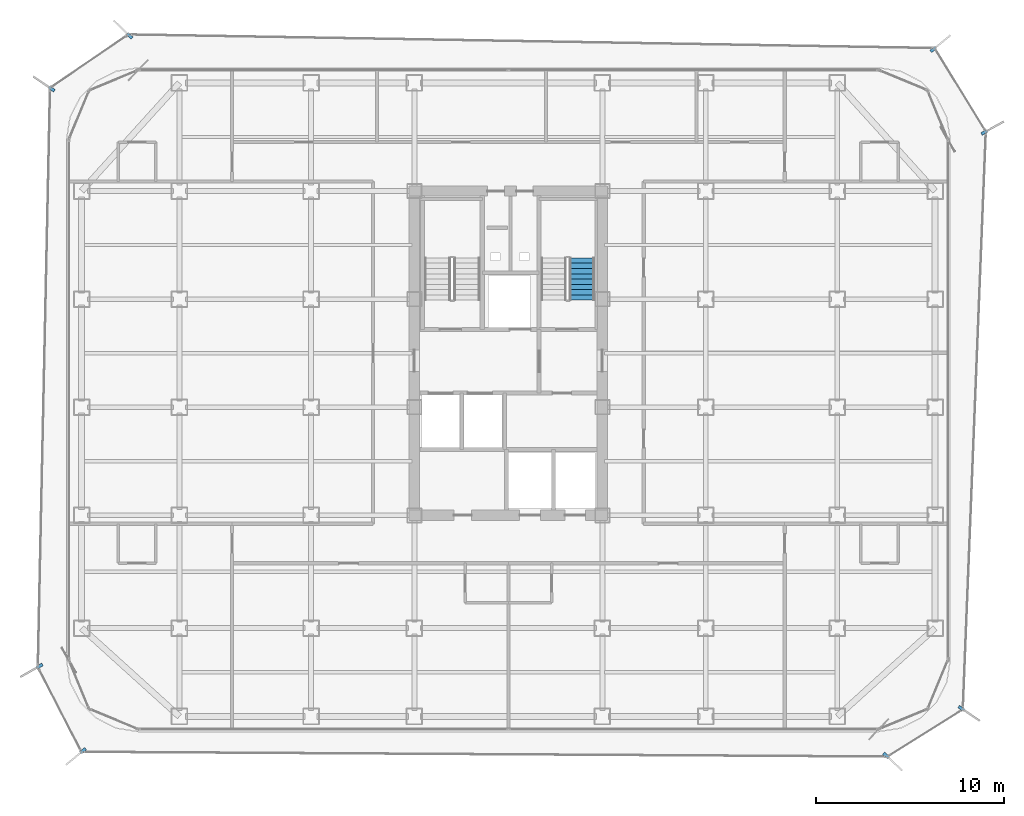
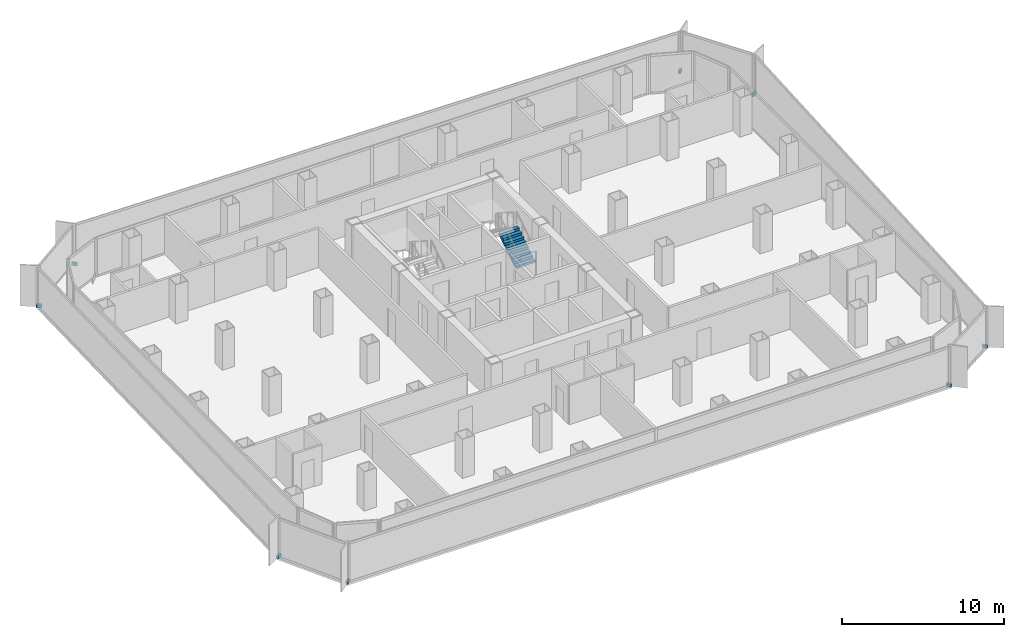
# One storey, part 18 of 21: 8 discrete accessories, 1 stair flight, 1 element without a shape of its own.
"""IFC4 building model written with IfcOpenShell, lengths in metres."""

from ifc_helpers import new_model, si_unit, direction, frame, origin, origin_2d, place, context, subcontext, project, spatial, polyline, rectangle, outline, extrude, source, transform, mapped, material, layer, layer_set, type_object, element, aggregate, save


model = new_model("IFC4")

# Units and contexts
model_context = context("Model", 3, precision=1e-05, world=origin(), true_north=direction((0.0, 1.0)))
body_context = subcontext(model_context, "Body", "Model", "MODEL_VIEW")
ifc_project = project(units=[si_unit("LENGTHUNIT", "METRE"), si_unit("AREAUNIT", "SQUARE_METRE"), si_unit("VOLUMEUNIT", "CUBIC_METRE"), si_unit("PLANEANGLEUNIT", "RADIAN"), si_unit("MASSUNIT", "GRAM", prefix="KILO")], contexts=[model_context])

# Site, building, storey
site_placement = place(None, origin())
site = spatial("IfcSite", under=ifc_project, at=site_placement, CompositionType="ELEMENT")
building_placement = place(site_placement, origin())
building = spatial("IfcBuilding", under=site, at=building_placement, Name="Kolveth Station Tower", CompositionType="ELEMENT")
storey_placement = place(building_placement, frame((0.0, 0.0, 137.5)))
storey = spatial("IfcBuildingStorey", under=building, at=storey_placement, Name="L38", CompositionType="ELEMENT", Elevation=137.5)

# Stair, stair flight
ifc_material_1 = material(Name="Concrete C40/50", Category="concrete")
stair_type = type_object("IfcStairType", Name="Stair_ST2", PredefinedType="HALF_TURN_STAIR", material=ifc_material_1)
stair_placement = place(storey_placement, origin())
stair = element("IfcStair", 1, at=stair_placement, inside=storey, type_object=stair_type, Name="L38 Tower Exit Stair ST2", PredefinedType="HALF_TURN_STAIR")
ifc_layer = layer(ifc_material_1, 0.179931640625)
ifc_layer_set = layer_set([ifc_layer], Name="Concrete C40/50")
stair_flight_type = type_object("IfcStairFlightType", Name="Flight_ST2", PredefinedType="STRAIGHT", material=ifc_layer_set)
stair_flight_placement = place(storey_placement, frame((27.425048828125, 22.949951171875, 0.0), z_axis=(0.0, 0.0, 1.0), x_axis=(0.0, 1.0, 0.0)))
stair_flight = element("IfcStairFlight", 2, at=stair_flight_placement, type_object=stair_flight_type, Name="ST2 flight 1", NumberOfRisers=9, NumberOfTreads=8, PredefinedType="STRAIGHT", RiserHeight=0.177777778, TreadLength=0.28, context=body_context, shape_type="SweptSolid", body=[
    extrude(outline(polyline([(0.0, 0.0), (0.0, 0.177734375), (0.280029296875, 0.177734375), (0.280029296875, 0.35546875), (0.56005859375, 0.35546875), (0.56005859375, 0.533447265625), (0.840087890625, 0.533447265625), (0.840087890625, 0.711181640625), (1.1201171875, 0.711181640625), (1.1201171875, 0.888916015625), (1.39990234375, 0.888916015625), (1.39990234375, 1.066650390625), (1.679931640625, 1.066650390625), (1.679931640625, 1.244384765625), (1.9599609375, 1.244384765625), (1.9599609375, 1.422119140625), (2.239990234375, 1.422119140625), (2.239990234375, 1.60009765625), (2.239990234375, 1.24462890625), (0.27978515625, 0.0), (0.0, 0.0)])), frame((0.0, 0.675048828125, 0.0), z_axis=(0.0, -1.0, 0.0), x_axis=(1.0, 0.0, 0.0)), (0.0, 0.0, 1.0), 1.35009765625),
])
aggregate(stair, [stair_flight])

# Discrete accessories
ifc_material_2 = material(Name="Steel S355", Category="steel")
discrete_accessory_type = type_object("IfcDiscreteAccessoryType", Name="Bracket_BK1", PredefinedType="BRACKET", material=ifc_material_2)
shared_shape = source(origin(), body_context, "Body", "SweptSolid", [
    extrude(rectangle(XDim=0.35009765625, YDim=0.159912109375, at=origin_2d()), origin(), (0.0, 0.0, 1.0), 0.219970703125),
])
for number, where, z_axis, x_axis, name in (
    (3, (43.591064453125, -1.27294921875, -0.06005859375), (0.0, 0.0, 1.0), (0.727892444455, -0.685691322174, 0.0), "L38 Double-Skin Radial Tie Bracket 1"),
    (4, (47.59912109375, 1.22998046875, -0.06005859375), (0.0, 0.0, 1.0), (0.826393242792, -0.563093427655, 0.0), "L38 Double-Skin Radial Tie Bracket 2"),
    (5, (48.818115234375, 31.87109375, -0.06005859375), (0.0, 0.0, 1.0), (0.871898392604, 0.48968683153, 0.0), "L38 Double-Skin Radial Tie Bracket 3"),
    (6, (46.10498046875, 36.285888671875, -0.06005859375), (0.0, 0.0, 1.0), (0.771624583388, 0.636078220278, 0.0), "L38 Double-Skin Radial Tie Bracket 4"),
    (7, (3.35498046875, 37.0029296875, -0.06005859375), (0.0, 0.0, 1.0), (-0.721155944485, 0.692772764861, 0.0), "L38 Double-Skin Radial Tie Bracket 5"),
    (8, (-0.7939453125, 34.181884765625, -0.06005859375), (0.0, 0.0, 1.0), (-0.826687964527, 0.562660651997, 0.0), "L38 Double-Skin Radial Tie Bracket 6"),
    (9, (-1.43798828125, 3.47802734375, -0.06005859375), (0.0, 0.0, 1.0), (-0.869408707144, -0.494093614554, 0.0), "L38 Double-Skin Radial Tie Bracket 7"),
    (10, (0.873046875, -1.02490234375, -0.06005859375), (0.0, 0.0, 1.0), (-0.771291427853, -0.636482154754, 0.0), "L38 Double-Skin Radial Tie Bracket 8"),
):
    element("IfcDiscreteAccessory", number, at=place(storey_placement, frame(where, z_axis=z_axis, x_axis=x_axis)), inside=storey, type_object=discrete_accessory_type, Name=name, PredefinedType="BRACKET", context=body_context, shape_type="MappedRepresentation", body=[
        mapped(shared_shape, transform((0.0, 0.0, 0.0), x_axis=(1.0, 0.0, 0.0), y_axis=(0.0, 1.0, 0.0), z_axis=(0.0, 0.0, 1.0), scale=1.0)),
    ])

save(model, "model.ifc")
